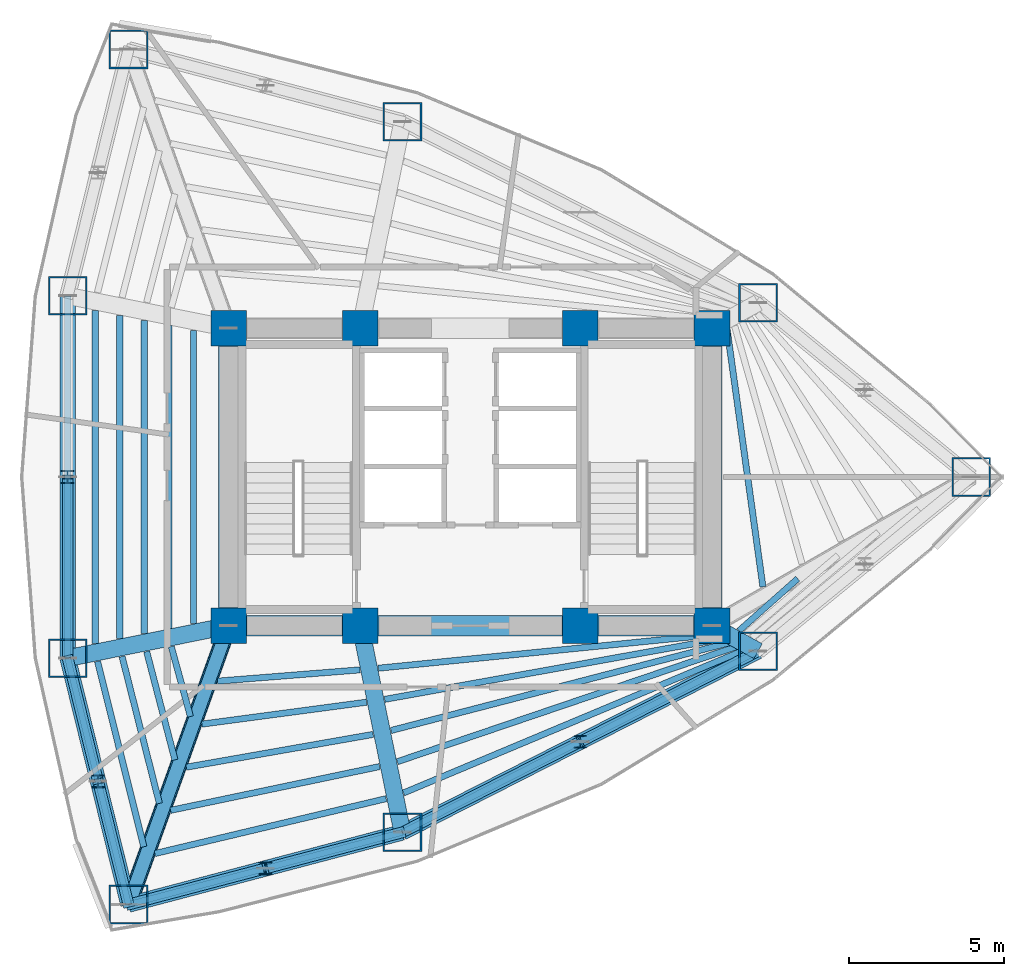
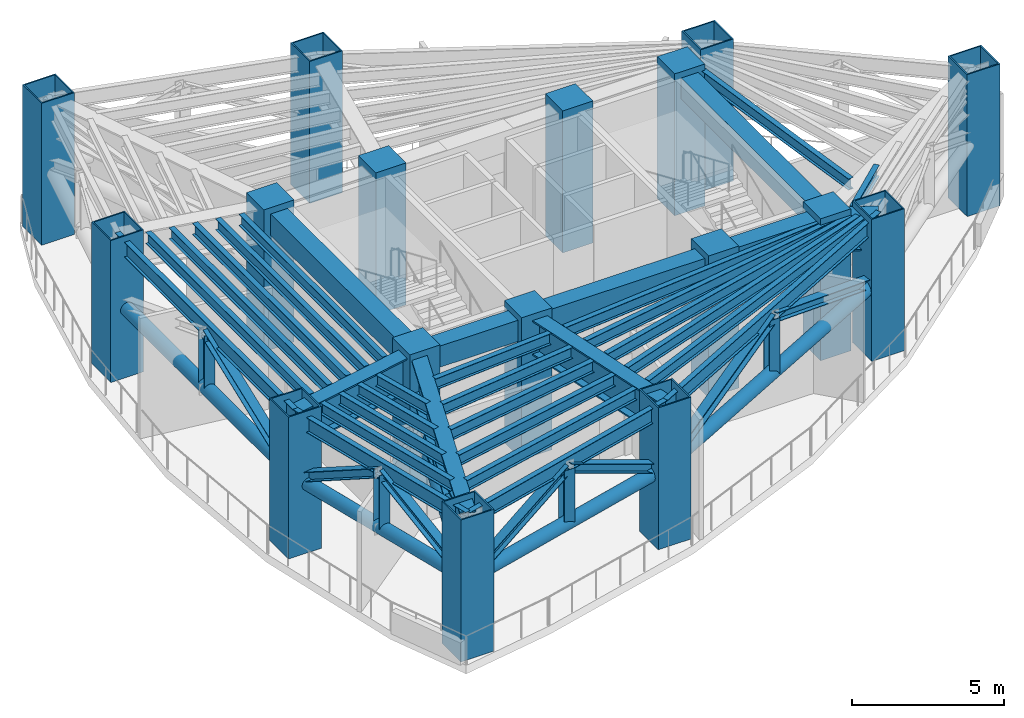
# One storey, part 1 of 7: 34 beams, 17 columns, 17 members.
"""IFC4 building model written with IfcOpenShell, lengths in metres."""

import ifcopenshell
import ifcopenshell.guid

model = None  # the IFC model being written
_history = None  # IfcOwnerHistory: only IFC2X3 demands one
_inside = {}  # id of a spatial element -> (the spatial element, [elements in it])
_under = {}  # id of a project, library or spatial element -> (it, [spatial elements below it])
_declared = {}  # id of a project -> (the project, [libraries it declares])
_typed = {}  # id of a type object -> (the type object, [elements of that type])
_made_of = {}  # id of a material, layer set ... -> (it, [elements and type objects made of it])


def new_model(schema):
    """Start an empty IFC model of exactly this schema.

    Asked for "IFC4X3", IfcOpenShell would pick the latest addendum, in which some entities
    have other attributes; the version numbers below select the first issue.
    IFC2X3 requires an IfcOwnerHistory on every rooted entity: one is made here for all.
    """
    global model, _history
    if schema == "IFC4X3":
        model = ifcopenshell.file(schema_version=(4, 3, 0, 0))
    else:
        model = ifcopenshell.file(schema=schema)
    _inside.clear()
    _under.clear()
    _declared.clear()
    _typed.clear()
    _made_of.clear()
    _history = None
    if model.schema == "IFC2X3":
        org = make("IfcOrganization", Name="unknown")
        user = make(
            "IfcPersonAndOrganization",
            ThePerson=make("IfcPerson", FamilyName="unknown"),
            TheOrganization=org,
        )
        app = make(
            "IfcApplication",
            ApplicationDeveloper=org,
            Version="unknown",
            ApplicationFullName="unknown",
            ApplicationIdentifier="unknown",
        )
        _history = make(
            "IfcOwnerHistory",
            OwningUser=user,
            OwningApplication=app,
            ChangeAction="ADDED",
            CreationDate=0,
        )
    return model


def make(cls, **values):
    """One entity of the class cls with the attributes given. An attribute that is None is left unset."""
    return model.create_entity(
        cls, **{name: value for name, value in values.items() if value is not None}
    )


def rooted(cls, **values):
    """An entity with a GlobalId (a new one), such as an element, a storey or a relation."""
    return make(cls, GlobalId=ifcopenshell.guid.new(), OwnerHistory=_history, **values)


def si_unit(unit_type, name, prefix=None):
    """IfcSIUnit, for example si_unit("LENGTHUNIT", "METRE", prefix="MILLI")."""
    return make("IfcSIUnit", UnitType=unit_type, Prefix=prefix, Name=name)


def assignment(units):
    """IfcUnitAssignment: the units of a project."""
    return None if units is None else make("IfcUnitAssignment", Units=units)


def point(xyz):
    """IfcCartesianPoint."""
    return None if xyz is None else make("IfcCartesianPoint", Coordinates=xyz)


def direction(xyz):
    """IfcDirection."""
    return None if xyz is None else make("IfcDirection", DirectionRatios=xyz)


def frame(location, z_axis=None, x_axis=None):
    """IfcAxis2Placement3D, a coordinate frame: its origin and axes. An axis left out is left unset."""
    return make(
        "IfcAxis2Placement3D",
        Location=point(location),
        Axis=direction(z_axis),
        RefDirection=direction(x_axis),
    )


def frame_2d(location, x_axis=None):
    """IfcAxis2Placement2D, a coordinate frame in the plane: its origin and x axis."""
    return make(
        "IfcAxis2Placement2D", Location=point(location), RefDirection=direction(x_axis)
    )


def origin():
    """The frame at (0, 0, 0) with its axes left unset."""
    return frame((0.0, 0.0, 0.0))


def origin_2d():
    """The frame at (0, 0) in the plane with its x axis left unset."""
    return frame_2d((0.0, 0.0))


def place(relative_to, where):
    """IfcLocalPlacement: puts the frame where relative to a parent placement (None: the world)."""
    return make(
        "IfcLocalPlacement", PlacementRelTo=relative_to, RelativePlacement=where
    )


def context(
    kind, dimensions, precision=None, world=None, true_north=None, identifier=None
):
    """IfcGeometricRepresentationContext, for example the 3D "Model" context."""
    return make(
        "IfcGeometricRepresentationContext",
        ContextIdentifier=identifier,
        ContextType=kind,
        CoordinateSpaceDimension=dimensions,
        Precision=precision,
        WorldCoordinateSystem=world,
        TrueNorth=true_north,
    )


def subcontext(parent, identifier, kind, view, scale=None):
    """IfcGeometricRepresentationSubContext, for example "Body" below "Model"."""
    return make(
        "IfcGeometricRepresentationSubContext",
        ContextIdentifier=identifier,
        ContextType=kind,
        ParentContext=parent,
        TargetScale=scale,
        TargetView=view,
    )


def project(units=None, contexts=None):
    """IfcProject with its units and contexts."""
    return rooted(
        "IfcProject",
        Name="project",
        RepresentationContexts=contexts,
        UnitsInContext=assignment(units),
    )


def spatial(cls, under=None, at=None, **own):
    """A site, building, storey or space (cls), placed at a placement, below another one or the project."""
    s = rooted(cls, ObjectPlacement=at, **own)
    if under is not None:
        _under.setdefault(under.id(), (under, []))[1].append(s)
    return s


def profile(cls, at=None, kind="AREA", **sizes):
    """A parametric profile (cls). Its sizes go by their IFC names, for example OverallWidth=200.0."""
    return make(cls, ProfileType=kind, Position=at, **sizes)


def rectangle(**sizes):
    """IfcRectangleProfileDef."""
    return profile("IfcRectangleProfileDef", **sizes)


def hollow_rectangle(**sizes):
    """IfcRectangleHollowProfileDef."""
    return profile("IfcRectangleHollowProfileDef", **sizes)


def hollow_circle(**sizes):
    """IfcCircleHollowProfileDef."""
    return profile("IfcCircleHollowProfileDef", **sizes)


def i_section(**sizes):
    """IfcIShapeProfileDef."""
    return profile("IfcIShapeProfileDef", **sizes)


def extrude(swept, where, along, depth):
    """IfcExtrudedAreaSolid: the profile swept, set in the frame where, extruded along a direction by depth."""
    return make(
        "IfcExtrudedAreaSolid",
        SweptArea=swept,
        Position=where,
        ExtrudedDirection=direction(along),
        Depth=depth,
    )


def shape(context_of_items, identifier, shape_type, items):
    """IfcShapeRepresentation: the items that make up one representation, for example the "Body"."""
    return make(
        "IfcShapeRepresentation",
        ContextOfItems=context_of_items,
        RepresentationIdentifier=identifier,
        RepresentationType=shape_type,
        Items=items,
    )


def material(Name=None, Category=None):
    """IfcMaterial."""
    return make("IfcMaterial", Name=Name, Category=Category)


def material_profile(
    of_material, cross_section, Name=None, Category=None, Priority=None
):
    """IfcMaterialProfile: a cross section and its material."""
    return make(
        "IfcMaterialProfile",
        Name=Name,
        Material=of_material,
        Profile=cross_section,
        Priority=Priority,
        Category=Category,
    )


def profile_set(profiles, Name=None, composite=None):
    """IfcMaterialProfileSet."""
    return make(
        "IfcMaterialProfileSet",
        Name=Name,
        MaterialProfiles=profiles,
        CompositeProfile=composite,
    )


def made_of(thing, what):
    """Note that an element or type object is made of a material, layer set ...; save() writes the relation."""
    if what is not None:
        _made_of.setdefault(what.id(), (what, []))[1].append(thing)
    return thing


def type_object(cls, material=None, **own):
    """A type object (cls), such as IfcWallType, which elements share."""
    return made_of(rooted(cls, **own), material)


def element(
    cls,
    number,
    at=None,
    inside=None,
    cuts=None,
    type_object=None,
    material=None,
    context=None,
    identifier="Body",
    shape_type=None,
    held_by="IfcProductDefinitionShape",
    body=None,
    shapes=None,
    **own,
):
    """One element of the class cls, such as IfcWall. Its Tag is "e" and its number.

    at: its placement. inside: the storey or other place that contains it. cuts: it is an
    opening in that element (IfcRelVoidsElement). A single representation is given by context,
    identifier, shape_type and body (its items); several are given by shapes. held_by: the class
    of the entity that holds the representations. save() writes the other relations.
    """
    e = rooted(cls, Tag="e%d" % number, ObjectPlacement=at, **own)
    if body is not None:
        shapes = [shape(context, identifier, shape_type, body)]
    if shapes is not None:
        e.Representation = make(held_by, Representations=shapes)
    if inside is not None:
        _inside.setdefault(inside.id(), (inside, []))[1].append(e)
    if cuts is not None:
        rooted(
            "IfcRelVoidsElement", RelatingBuildingElement=cuts, RelatedOpeningElement=e
        )
    if type_object is not None:
        _typed.setdefault(type_object.id(), (type_object, []))[1].append(e)
    return made_of(e, material)


def aggregate(whole, parts):
    """IfcRelAggregates: a whole, such as a stair, and the parts it consists of."""
    return rooted("IfcRelAggregates", RelatingObject=whole, RelatedObjects=parts)


def save(model, path):
    """Write the relations noted so far, then the file.

    IfcRelAggregates (storeys below a building ...), IfcRelContainedInSpatialStructure (elements
    in a storey), IfcRelDefinesByType, IfcRelAssociatesMaterial and IfcRelDeclares: one each for
    every whole, place, type object, material and project.
    """
    for whole, parts in _under.values():
        aggregate(whole, parts)
    for where, things in _inside.values():
        rooted(
            "IfcRelContainedInSpatialStructure",
            RelatedElements=things,
            RelatingStructure=where,
        )
    for kind, things in _typed.values():
        rooted("IfcRelDefinesByType", RelatedObjects=things, RelatingType=kind)
    for what, things in _made_of.values():
        rooted("IfcRelAssociatesMaterial", RelatedObjects=things, RelatingMaterial=what)
    for by, libraries in _declared.values():
        rooted("IfcRelDeclares", RelatingContext=by, RelatedDefinitions=libraries)
    model.write(path)


model = new_model("IFC4")

# Units and contexts
model_context = context("Model", 3, precision=1e-05, world=origin(), true_north=direction((0.0, 1.0)))
body_context = subcontext(model_context, "Body", "Model", "MODEL_VIEW")
ifc_project = project(units=[si_unit("LENGTHUNIT", "METRE"), si_unit("AREAUNIT", "SQUARE_METRE"), si_unit("VOLUMEUNIT", "CUBIC_METRE"), si_unit("PLANEANGLEUNIT", "RADIAN"), si_unit("MASSUNIT", "GRAM", prefix="KILO")], contexts=[model_context])

# Site, building, storey
site_placement = place(None, origin())
site = spatial("IfcSite", under=ifc_project, at=site_placement, CompositionType="ELEMENT")
building_placement = place(site_placement, origin())
building = spatial("IfcBuilding", under=site, at=building_placement, Name="Menara Vayukalpa", CompositionType="ELEMENT")
storey_placement = place(building_placement, frame((0.0, 0.0, 83.39990234375)))
storey = spatial("IfcBuildingStorey", under=building, at=storey_placement, Name="L20", CompositionType="ELEMENT", Elevation=83.39990234375)

# Columns
ifc_material_1 = material(Name="Concrete C80/95", Category="concrete")
ifc_material_profile_1 = material_profile(ifc_material_1, rectangle(XDim=1.14990234375, YDim=1.14990234375, at=origin_2d()), Name="RC 1150x1150")
ifc_profile_set_1 = profile_set([ifc_material_profile_1], Name="Concrete C80/95")
column_type_1 = type_object("IfcColumnType", Name="COL-CC1", PredefinedType="COLUMN", material=ifc_profile_set_1)
for number, where, z_axis, x_axis, name in (
    (1, (17.800048828125, 17.199951171875, 0.0), (0.0, 0.0, 1.0), (1.0, 0.0, 0.0), "L20 Core Pilaster Column CC1"),
    (2, (22.050048828125, 17.199951171875, 0.0), (0.0, 0.0, 1.0), (1.0, 0.0, 0.0), "L20 Core Pilaster Column CC2"),
    (3, (29.14990234375, 17.199951171875, 0.0), (0.0, 0.0, 1.0), (1.0, 0.0, 0.0), "L20 Core Pilaster Column CC3"),
    (4, (33.39990234375, 17.199951171875, 0.0), (0.0, 0.0, 1.0), (1.0, 0.0, 0.0), "L20 Core Pilaster Column CC4"),
    (5, (17.800048828125, 26.800048828125, 0.0), (0.0, 0.0, 1.0), (1.0, 0.0, 0.0), "L20 Core Pilaster Column CC5"),
    (6, (22.050048828125, 26.800048828125, 0.0), (0.0, 0.0, 1.0), (1.0, 0.0, 0.0), "L20 Core Pilaster Column CC6"),
    (7, (29.14990234375, 26.800048828125, 0.0), (0.0, 0.0, 1.0), (1.0, 0.0, 0.0), "L20 Core Pilaster Column CC7"),
    (8, (33.39990234375, 26.800048828125, 0.0), (0.0, 0.0, 1.0), (1.0, 0.0, 0.0), "L20 Core Pilaster Column CC8"),
):
    element("IfcColumn", number, at=place(storey_placement, frame(where, z_axis=z_axis, x_axis=x_axis)), inside=storey, type_object=column_type_1, Name=name, PredefinedType="COLUMN", context=body_context, shape_type="SweptSolid", body=[
        extrude(rectangle(XDim=1.14990234375, YDim=1.14990234375, at=origin_2d()), origin(), (0.0, 0.0, 1.0), 5.7001953125),
    ])
ifc_material_2 = material(Name="Steel S460", Category="steel")
ifc_material_profile_2 = material_profile(ifc_material_2, hollow_rectangle(XDim=1.25, YDim=1.25, WallThickness=0.050048828125, at=origin_2d()), Name="BOX 1250x1250x50")
ifc_profile_set_2 = profile_set([ifc_material_profile_2], Name="Steel S460")
column_type_2 = type_object("IfcColumnType", Name="COL-MC2", PredefinedType="COLUMN", material=ifc_profile_set_2)
for number, where, z_axis, x_axis, name in (
    (9, (41.761962890625, 22.0, 0.0), (0.0, 0.0, 1.0), (1.0, 0.0, 0.0), "L20 Perimeter Mega Column P01"),
    (10, (34.88671875, 27.62158203125, 0.0), (0.0, 0.0, 1.0), (1.0, 0.0, 0.0), "L20 Perimeter Mega Column P02"),
    (11, (23.408203125, 33.46728515625, 0.0), (0.0, 0.0, 1.0), (1.0, 0.0, 0.0), "L20 Perimeter Mega Column P03"),
    (12, (14.569091796875, 35.79736328125, 0.0), (0.0, 0.0, 1.0), (1.0, 0.0, 0.0), "L20 Perimeter Mega Column P04"),
    (13, (12.606689453125, 27.845703125, 0.0), (0.0, 0.0, 1.0), (1.0, 0.0, 0.0), "L20 Perimeter Mega Column P05"),
    (14, (12.606689453125, 16.154296875, 0.0), (0.0, 0.0, 1.0), (1.0, 0.0, 0.0), "L20 Perimeter Mega Column P06"),
    (15, (14.569091796875, 8.20263671875, 0.0), (0.0, 0.0, 1.0), (1.0, 0.0, 0.0), "L20 Perimeter Mega Column P07"),
    (16, (23.408203125, 10.53271484375, 0.0), (0.0, 0.0, 1.0), (1.0, 0.0, 0.0), "L20 Perimeter Mega Column P08"),
    (17, (34.88671875, 16.37841796875, 0.0), (0.0, 0.0, 1.0), (1.0, 0.0, 0.0), "L20 Perimeter Mega Column P09"),
):
    element("IfcColumn", number, at=place(storey_placement, frame(where, z_axis=z_axis, x_axis=x_axis)), inside=storey, type_object=column_type_2, Name=name, PredefinedType="COLUMN", context=body_context, shape_type="SweptSolid", body=[
        extrude(hollow_rectangle(XDim=1.25, YDim=1.25, WallThickness=0.050048828125, at=origin_2d()), origin(), (0.0, 0.0, 1.0), 5.7001953125),
    ])

# Beams
ifc_material_3 = material(Name="Concrete C60/75", Category="concrete")
ifc_material_profile_3 = material_profile(ifc_material_3, rectangle(XDim=0.64990234375, YDim=0.85009765625, at=origin_2d()), Name="RC 650x850")
ifc_profile_set_3 = profile_set([ifc_material_profile_3], Name="Concrete C60/75")
beam_type_1 = type_object("IfcBeamType", Name="BM-CB1", PredefinedType="BEAM", material=ifc_profile_set_3)
beam_1_placement = place(storey_placement, frame((17.800048828125, 17.199951171875, 5.025146484375), z_axis=(1.0, 0.0, 0.0), x_axis=(0.0, 1.0, 0.0)))
element("IfcBeam", 18, at=beam_1_placement, inside=storey, type_object=beam_type_1, Name="L20 Core Tie Beam CBR1", PredefinedType="BEAM", context=body_context, shape_type="SweptSolid", body=[
    extrude(rectangle(XDim=0.64990234375, YDim=0.85009765625, at=origin_2d()), origin(), (0.0, 0.0, 1.0), 4.25),
])
beam_2_placement = place(storey_placement, frame((22.050048828125, 17.199951171875, 5.025146484375), z_axis=(1.0, 0.0, 0.0), x_axis=(0.0, 1.0, 0.0)))
element("IfcBeam", 19, at=beam_2_placement, inside=storey, type_object=beam_type_1, Name="L20 Core Tie Beam CBR2", PredefinedType="BEAM", context=body_context, shape_type="SweptSolid", body=[
    extrude(rectangle(XDim=0.64990234375, YDim=0.85009765625, at=origin_2d()), origin(), (0.0, 0.0, 1.0), 7.099853515625),
])
beam_3_placement = place(storey_placement, frame((29.14990234375, 17.199951171875, 5.025146484375), z_axis=(1.0, 0.0, 0.0), x_axis=(0.0, 1.0, 0.0)))
element("IfcBeam", 20, at=beam_3_placement, inside=storey, type_object=beam_type_1, Name="L20 Core Tie Beam CBR3", PredefinedType="BEAM", context=body_context, shape_type="SweptSolid", body=[
    extrude(rectangle(XDim=0.64990234375, YDim=0.85009765625, at=origin_2d()), origin(), (0.0, 0.0, 1.0), 4.25),
])
for number, where, z_axis, x_axis, name in (
    (21, (17.800048828125, 17.199951171875, 5.025146484375), (0.0, 1.0, 0.0), (-1.0, 0.0, 0.0), "L20 Core Tie Beam CBR7"),
    (22, (33.39990234375, 17.199951171875, 5.025146484375), (0.0, 1.0, 0.0), (-1.0, 0.0, 0.0), "L20 Core Tie Beam CBR8"),
):
    element("IfcBeam", number, at=place(storey_placement, frame(where, z_axis=z_axis, x_axis=x_axis)), inside=storey, type_object=beam_type_1, Name=name, PredefinedType="BEAM", context=body_context, shape_type="SweptSolid", body=[
        extrude(rectangle(XDim=0.64990234375, YDim=0.85009765625, at=origin_2d()), origin(), (0.0, 0.0, 1.0), 9.60009765625),
    ])
ifc_material_4 = material(Name="Steel S355", Category="steel")
ifc_material_profile_4 = material_profile(ifc_material_4, i_section(OverallWidth=0.199951171875, OverallDepth=0.449951171875, WebThickness=0.009033203125, FlangeThickness=0.013916015625, at=origin_2d()), Name="WF 450x200x9x14")
ifc_profile_set_4 = profile_set([ifc_material_profile_4], Name="Steel S355")
beam_type_2 = type_object("IfcBeamType", Name="BM-SJ1", PredefinedType="JOIST", material=ifc_profile_set_4)
beam_4_placement = place(storey_placement, frame((35.042236328125, 18.458251953125, 5.22509765625), z_axis=(-0.137829684308, 0.990455944565, 0.0), x_axis=(-0.990455944565, -0.137829684308, 0.0)))
element("IfcBeam", 23, at=beam_4_placement, inside=storey, type_object=beam_type_2, Name="L20 Secondary Floor Joist SJ01-1", PredefinedType="JOIST", context=body_context, shape_type="SweptSolid", body=[
    extrude(i_section(OverallWidth=0.199951171875, OverallDepth=0.449951171875, WebThickness=0.009033203125, FlangeThickness=0.013916015625, at=origin_2d()), origin(), (0.0, 0.0, 1.0), 8.37646484375),
])
beam_5_placement = place(storey_placement, frame((16.664306640625, 26.733642578125, 5.22509765625), z_axis=(0.0, -1.0, 0.0), x_axis=(1.0, 0.0, 0.0)))
element("IfcBeam", 24, at=beam_5_placement, inside=storey, type_object=beam_type_2, Name="L20 Secondary Floor Joist SJ05-1", PredefinedType="JOIST", context=body_context, shape_type="SweptSolid", body=[
    extrude(i_section(OverallWidth=0.199951171875, OverallDepth=0.449951171875, WebThickness=0.009033203125, FlangeThickness=0.013916015625, at=origin_2d()), origin(), (0.0, 0.0, 1.0), 9.46728515625),
])
beam_6_placement = place(storey_placement, frame((15.87255859375, 26.89306640625, 5.22509765625), z_axis=(0.0, -1.0, 0.0), x_axis=(1.0, 0.0, 0.0)))
element("IfcBeam", 25, at=beam_6_placement, inside=storey, type_object=beam_type_2, Name="L20 Secondary Floor Joist SJ05-2", PredefinedType="JOIST", context=body_context, shape_type="SweptSolid", body=[
    extrude(i_section(OverallWidth=0.199951171875, OverallDepth=0.449951171875, WebThickness=0.009033203125, FlangeThickness=0.013916015625, at=origin_2d()), origin(), (0.0, 0.0, 1.0), 9.7861328125),
])
beam_7_placement = place(storey_placement, frame((15.080810546875, 27.052490234375, 5.22509765625), z_axis=(0.0, -1.0, 0.0), x_axis=(1.0, 0.0, 0.0)))
element("IfcBeam", 26, at=beam_7_placement, inside=storey, type_object=beam_type_2, Name="L20 Secondary Floor Joist SJ05-3", PredefinedType="JOIST", context=body_context, shape_type="SweptSolid", body=[
    extrude(i_section(OverallWidth=0.199951171875, OverallDepth=0.449951171875, WebThickness=0.009033203125, FlangeThickness=0.013916015625, at=origin_2d()), origin(), (0.0, 0.0, 1.0), 10.10498046875),
])
beam_8_placement = place(storey_placement, frame((14.2890625, 27.2119140625, 5.22509765625), z_axis=(0.0, -1.0, 0.0), x_axis=(1.0, 0.0, 0.0)))
element("IfcBeam", 27, at=beam_8_placement, inside=storey, type_object=beam_type_2, Name="L20 Secondary Floor Joist SJ05-4", PredefinedType="JOIST", context=body_context, shape_type="SweptSolid", body=[
    extrude(i_section(OverallWidth=0.199951171875, OverallDepth=0.449951171875, WebThickness=0.009033203125, FlangeThickness=0.013916015625, at=origin_2d()), origin(), (0.0, 0.0, 1.0), 10.423828125),
])
beam_9_placement = place(storey_placement, frame((13.497314453125, 27.371337890625, 5.22509765625), z_axis=(0.0, -1.0, 0.0), x_axis=(1.0, 0.0, 0.0)))
element("IfcBeam", 28, at=beam_9_placement, inside=storey, type_object=beam_type_2, Name="L20 Secondary Floor Joist SJ05-5", PredefinedType="JOIST", context=body_context, shape_type="SweptSolid", body=[
    extrude(i_section(OverallWidth=0.199951171875, OverallDepth=0.449951171875, WebThickness=0.009033203125, FlangeThickness=0.013916015625, at=origin_2d()), origin(), (0.0, 0.0, 1.0), 10.74267578125),
])
beam_10_placement = place(storey_placement, frame((15.9501953125, 16.52734375, 5.22509765625), z_axis=(0.263929403048, -0.96454200023, 0.0), x_axis=(0.96454200023, 0.263929403048, 0.0)))
element("IfcBeam", 29, at=beam_10_placement, inside=storey, type_object=beam_type_2, Name="L20 Secondary Floor Joist SJ06-2", PredefinedType="JOIST", context=body_context, shape_type="SweptSolid", body=[
    extrude(i_section(OverallWidth=0.199951171875, OverallDepth=0.449951171875, WebThickness=0.009033203125, FlangeThickness=0.013916015625, at=origin_2d()), origin(), (0.0, 0.0, 1.0), 2.34033203125),
])
beam_11_placement = place(storey_placement, frame((15.1552734375, 16.3671875, 5.22509765625), z_axis=(0.252438391899, -0.967612969268, 0.0), x_axis=(0.967612969268, 0.252438391899, 0.0)))
element("IfcBeam", 30, at=beam_11_placement, inside=storey, type_object=beam_type_2, Name="L20 Secondary Floor Joist SJ06-3", PredefinedType="JOIST", context=body_context, shape_type="SweptSolid", body=[
    extrude(i_section(OverallWidth=0.199951171875, OverallDepth=0.449951171875, WebThickness=0.009033203125, FlangeThickness=0.013916015625, at=origin_2d()), origin(), (0.0, 0.0, 1.0), 3.615234375),
])
beam_12_placement = place(storey_placement, frame((14.36181640625, 16.207275390625, 5.22509765625), z_axis=(0.246269228138, -0.969201458559, 0.0), x_axis=(0.969201458559, 0.246269228138, 0.0)))
element("IfcBeam", 31, at=beam_12_placement, inside=storey, type_object=beam_type_2, Name="L20 Secondary Floor Joist SJ06-4", PredefinedType="JOIST", context=body_context, shape_type="SweptSolid", body=[
    extrude(i_section(OverallWidth=0.199951171875, OverallDepth=0.449951171875, WebThickness=0.009033203125, FlangeThickness=0.013916015625, at=origin_2d()), origin(), (0.0, 0.0, 1.0), 4.890380859375),
])
beam_13_placement = place(storey_placement, frame((13.56884765625, 16.047607421875, 5.22509765625), z_axis=(0.242489040625, -0.97015414506, 0.0), x_axis=(0.97015414506, 0.242489040625, 0.0)))
element("IfcBeam", 32, at=beam_13_placement, inside=storey, type_object=beam_type_2, Name="L20 Secondary Floor Joist SJ06-5", PredefinedType="JOIST", context=body_context, shape_type="SweptSolid", body=[
    extrude(i_section(OverallWidth=0.199951171875, OverallDepth=0.449951171875, WebThickness=0.009033203125, FlangeThickness=0.013916015625, at=origin_2d()), origin(), (0.0, 0.0, 1.0), 6.165771484375),
])
beam_14_placement = place(storey_placement, frame((17.443115234375, 15.410888671875, 5.22509765625), z_axis=(0.996868572294, 0.079076226346, 0.0), x_axis=(-0.079076226346, 0.996868572294, 0.0)))
element("IfcBeam", 33, at=beam_14_placement, inside=storey, type_object=beam_type_2, Name="L20 Secondary Floor Joist SJ07-1", PredefinedType="JOIST", context=body_context, shape_type="SweptSolid", body=[
    extrude(i_section(OverallWidth=0.199951171875, OverallDepth=0.449951171875, WebThickness=0.009033203125, FlangeThickness=0.013916015625, at=origin_2d()), origin(), (0.0, 0.0, 1.0), 4.612548828125),
])
beam_15_placement = place(storey_placement, frame((16.93798828125, 14.0244140625, 5.22509765625), z_axis=(0.99124141791, 0.132062301279, 0.0), x_axis=(-0.132062301279, 0.99124141791, 0.0)))
element("IfcBeam", 34, at=beam_15_placement, inside=storey, type_object=beam_type_2, Name="L20 Secondary Floor Joist SJ07-2", PredefinedType="JOIST", context=body_context, shape_type="SweptSolid", body=[
    extrude(i_section(OverallWidth=0.199951171875, OverallDepth=0.449951171875, WebThickness=0.009033203125, FlangeThickness=0.013916015625, at=origin_2d()), origin(), (0.0, 0.0, 1.0), 5.361083984375),
])
beam_16_placement = place(storey_placement, frame((16.432861328125, 12.634521484375, 5.22509765625), z_axis=(0.984946902455, 0.172857164574, 0.0), x_axis=(-0.172857164574, 0.984946902455, 0.0)))
element("IfcBeam", 35, at=beam_16_placement, inside=storey, type_object=beam_type_2, Name="L20 Secondary Floor Joist SJ07-3", PredefinedType="JOIST", context=body_context, shape_type="SweptSolid", body=[
    extrude(i_section(OverallWidth=0.199951171875, OverallDepth=0.449951171875, WebThickness=0.009033203125, FlangeThickness=0.013916015625, at=origin_2d()), origin(), (0.0, 0.0, 1.0), 6.122802734375),
])
beam_17_placement = place(storey_placement, frame((15.927490234375, 11.2421875, 5.22509765625), z_axis=(0.978749978806, 0.205057257826, 0.0), x_axis=(-0.205057257826, 0.978749978806, 0.0)))
element("IfcBeam", 36, at=beam_17_placement, inside=storey, type_object=beam_type_2, Name="L20 Secondary Floor Joist SJ07-4", PredefinedType="JOIST", context=body_context, shape_type="SweptSolid", body=[
    extrude(i_section(OverallWidth=0.199951171875, OverallDepth=0.449951171875, WebThickness=0.009033203125, FlangeThickness=0.013916015625, at=origin_2d()), origin(), (0.0, 0.0, 1.0), 6.8935546875),
])
beam_18_placement = place(storey_placement, frame((15.422607421875, 9.847900390625, 5.22509765625), z_axis=(0.97293037885, 0.23109841607, 0.0), x_axis=(-0.23109841607, 0.97293037885, 0.0)))
element("IfcBeam", 37, at=beam_18_placement, inside=storey, type_object=beam_type_2, Name="L20 Secondary Floor Joist SJ07-5", PredefinedType="JOIST", context=body_context, shape_type="SweptSolid", body=[
    extrude(i_section(OverallWidth=0.199951171875, OverallDepth=0.449951171875, WebThickness=0.009033203125, FlangeThickness=0.013916015625, at=origin_2d()), origin(), (0.0, 0.0, 1.0), 7.6708984375),
])
beam_19_placement = place(storey_placement, frame((22.62890625, 15.828369140625, 5.22509765625), z_axis=(0.995012280758, 0.099752499419, 0.0), x_axis=(-0.099752499419, 0.995012280758, 0.0)))
element("IfcBeam", 38, at=beam_19_placement, inside=storey, type_object=beam_type_2, Name="L20 Secondary Floor Joist SJ08-1", PredefinedType="JOIST", context=body_context, shape_type="SweptSolid", body=[
    extrude(i_section(OverallWidth=0.199951171875, OverallDepth=0.449951171875, WebThickness=0.009033203125, FlangeThickness=0.013916015625, at=origin_2d()), origin(), (0.0, 0.0, 1.0), 10.979248046875),
])
beam_20_placement = place(storey_placement, frame((22.835205078125, 14.823486328125, 5.22509765625), z_axis=(0.984203565872, 0.177040506452, 0.0), x_axis=(-0.177040506452, 0.984203565872, 0.0)))
element("IfcBeam", 39, at=beam_20_placement, inside=storey, type_object=beam_type_2, Name="L20 Secondary Floor Joist SJ08-2", PredefinedType="JOIST", context=body_context, shape_type="SweptSolid", body=[
    extrude(i_section(OverallWidth=0.199951171875, OverallDepth=0.449951171875, WebThickness=0.009033203125, FlangeThickness=0.013916015625, at=origin_2d()), origin(), (0.0, 0.0, 1.0), 11.099609375),
])
beam_21_placement = place(storey_placement, frame((23.03955078125, 13.81787109375, 5.22509765625), z_axis=(0.967920388611, 0.251257082111, 0.0), x_axis=(-0.251257082111, 0.967920388611, 0.0)))
element("IfcBeam", 40, at=beam_21_placement, inside=storey, type_object=beam_type_2, Name="L20 Secondary Floor Joist SJ08-3", PredefinedType="JOIST", context=body_context, shape_type="SweptSolid", body=[
    extrude(i_section(OverallWidth=0.199951171875, OverallDepth=0.449951171875, WebThickness=0.009033203125, FlangeThickness=0.013916015625, at=origin_2d()), origin(), (0.0, 0.0, 1.0), 11.289794921875),
])
beam_22_placement = place(storey_placement, frame((23.24267578125, 12.81103515625, 5.22509765625), z_axis=(0.946950205184, 0.321380318163, 0.0), x_axis=(-0.321380318163, 0.946950205184, 0.0)))
element("IfcBeam", 41, at=beam_22_placement, inside=storey, type_object=beam_type_2, Name="L20 Secondary Floor Joist SJ08-4", PredefinedType="JOIST", context=body_context, shape_type="SweptSolid", body=[
    extrude(i_section(OverallWidth=0.199951171875, OverallDepth=0.449951171875, WebThickness=0.009033203125, FlangeThickness=0.013916015625, at=origin_2d()), origin(), (0.0, 0.0, 1.0), 11.546142578125),
])
beam_23_placement = place(storey_placement, frame((23.44482421875, 11.802734375, 5.22509765625), z_axis=(0.922218053234, 0.386670224208, 0.0), x_axis=(-0.386670224208, 0.922218053234, 0.0)))
element("IfcBeam", 42, at=beam_23_placement, inside=storey, type_object=beam_type_2, Name="L20 Secondary Floor Joist SJ08-5", PredefinedType="JOIST", context=body_context, shape_type="SweptSolid", body=[
    extrude(i_section(OverallWidth=0.199951171875, OverallDepth=0.449951171875, WebThickness=0.009033203125, FlangeThickness=0.013916015625, at=origin_2d()), origin(), (0.0, 0.0, 1.0), 11.864501953125),
])
beam_24_placement = place(storey_placement, frame((34.2705078125, 17.03662109375, 5.22509765625), z_axis=(0.747914140309, 0.663795479591, 0.0), x_axis=(-0.663795479591, 0.747914140309, 0.0)))
element("IfcBeam", 43, at=beam_24_placement, inside=storey, type_object=beam_type_2, Name="L20 Secondary Floor Joist SJ09-2", PredefinedType="JOIST", context=body_context, shape_type="SweptSolid", body=[
    extrude(i_section(OverallWidth=0.199951171875, OverallDepth=0.449951171875, WebThickness=0.009033203125, FlangeThickness=0.013916015625, at=origin_2d()), origin(), (0.0, 0.0, 1.0), 2.53369140625),
])
ifc_material_5 = material(Name="Steel S355", Category="steel")
ifc_material_profile_5 = material_profile(ifc_material_5, i_section(OverallWidth=0.199951171875, OverallDepth=0.60009765625, WebThickness=0.010986328125, FlangeThickness=0.01708984375, at=origin_2d()), Name="WF 600x200x11x17")
ifc_profile_set_5 = profile_set([ifc_material_profile_5], Name="Steel S355")
beam_type_3 = type_object("IfcBeamType", Name="BM-SP1", PredefinedType="SPANDREL", material=ifc_profile_set_5)
beam_25_placement = place(storey_placement, frame((12.606689453125, 27.845703125, 5.150146484375), z_axis=(0.0, -1.0, 0.0), x_axis=(1.0, 0.0, 0.0)))
element("IfcBeam", 44, at=beam_25_placement, inside=storey, type_object=beam_type_3, Name="L20 Perimeter Spandrel Beam SP05", PredefinedType="SPANDREL", context=body_context, shape_type="SweptSolid", body=[
    extrude(i_section(OverallWidth=0.199951171875, OverallDepth=0.60009765625, WebThickness=0.010986328125, FlangeThickness=0.01708984375, at=origin_2d()), origin(), (0.0, 0.0, 1.0), 11.69140625),
])
beam_26_placement = place(storey_placement, frame((12.606689453125, 16.154296875, 5.150146484375), z_axis=(0.239602739234, -0.970871014786, 0.0), x_axis=(0.970871014786, 0.239602739234, 0.0)))
element("IfcBeam", 45, at=beam_26_placement, inside=storey, type_object=beam_type_3, Name="L20 Perimeter Spandrel Beam SP06", PredefinedType="SPANDREL", context=body_context, shape_type="SweptSolid", body=[
    extrude(i_section(OverallWidth=0.199951171875, OverallDepth=0.60009765625, WebThickness=0.010986328125, FlangeThickness=0.01708984375, at=origin_2d()), origin(), (0.0, 0.0, 1.0), 8.190185546875),
])
beam_27_placement = place(storey_placement, frame((14.569091796875, 8.20263671875, 5.150146484375), z_axis=(0.966966857313, 0.254902131921, 0.0), x_axis=(-0.254902131921, 0.966966857313, 0.0)))
element("IfcBeam", 46, at=beam_27_placement, inside=storey, type_object=beam_type_3, Name="L20 Perimeter Spandrel Beam SP07", PredefinedType="SPANDREL", context=body_context, shape_type="SweptSolid", body=[
    extrude(i_section(OverallWidth=0.199951171875, OverallDepth=0.60009765625, WebThickness=0.010986328125, FlangeThickness=0.01708984375, at=origin_2d()), origin(), (0.0, 0.0, 1.0), 9.14111328125),
])
beam_28_placement = place(storey_placement, frame((23.408203125, 10.53271484375, 5.150146484375), z_axis=(0.891097345221, 0.453812209333, 0.0), x_axis=(-0.453812209333, 0.891097345221, 0.0)))
element("IfcBeam", 47, at=beam_28_placement, inside=storey, type_object=beam_type_3, Name="L20 Perimeter Spandrel Beam SP08", PredefinedType="SPANDREL", context=body_context, shape_type="SweptSolid", body=[
    extrude(i_section(OverallWidth=0.199951171875, OverallDepth=0.60009765625, WebThickness=0.010986328125, FlangeThickness=0.01708984375, at=origin_2d()), origin(), (0.0, 0.0, 1.0), 12.88134765625),
])
ifc_material_6 = material(Name="Steel S460", Category="steel")
ifc_material_profile_6 = material_profile(ifc_material_6, i_section(OverallWidth=0.550048828125, OverallDepth=1.39990234375, WebThickness=0.031982421875, FlangeThickness=0.06005859375, at=origin_2d()), Name="WG 1400x550x32x60")
ifc_profile_set_6 = profile_set([ifc_material_profile_6], Name="Steel S460")
beam_type_4 = type_object("IfcBeamType", Name="BM-TG1", PredefinedType="BEAM", material=ifc_profile_set_6)
beam_29_placement = place(storey_placement, frame((17.554931640625, 17.150634765625, 4.75), z_axis=(-0.980324984906, -0.197390283373, 0.0), x_axis=(0.197390283373, -0.980324984906, 0.0)))
element("IfcBeam", 48, at=beam_29_placement, inside=storey, type_object=beam_type_4, Name="L20 Primary Radial Girder RG06", PredefinedType="BEAM", context=body_context, shape_type="SweptSolid", body=[
    extrude(i_section(OverallWidth=0.550048828125, OverallDepth=1.39990234375, WebThickness=0.031982421875, FlangeThickness=0.06005859375, at=origin_2d()), origin(), (0.0, 0.0, 1.0), 5.047607421875),
])
beam_30_placement = place(storey_placement, frame((17.715576171875, 16.964599609375, 4.75), z_axis=(-0.337975542909, -0.941154892882, 0.0), x_axis=(0.941154892882, -0.337975542909, 0.0)))
element("IfcBeam", 49, at=beam_30_placement, inside=storey, type_object=beam_type_4, Name="L20 Primary Radial Girder RG07", PredefinedType="BEAM", context=body_context, shape_type="SweptSolid", body=[
    extrude(i_section(OverallWidth=0.550048828125, OverallDepth=1.39990234375, WebThickness=0.031982421875, FlangeThickness=0.06005859375, at=origin_2d()), origin(), (0.0, 0.0, 1.0), 9.309814453125),
])
beam_31_placement = place(storey_placement, frame((22.099853515625, 16.955078125, 4.75), z_axis=(0.199617728418, -0.9798738503, 0.0), x_axis=(0.9798738503, 0.199617728418, 0.0)))
element("IfcBeam", 50, at=beam_31_placement, inside=storey, type_object=beam_type_4, Name="L20 Primary Radial Girder RG08", PredefinedType="BEAM", context=body_context, shape_type="SweptSolid", body=[
    extrude(i_section(OverallWidth=0.550048828125, OverallDepth=1.39990234375, WebThickness=0.031982421875, FlangeThickness=0.06005859375, at=origin_2d()), origin(), (0.0, 0.0, 1.0), 6.55419921875),
])
beam_32_placement = place(storey_placement, frame((33.618896484375, 17.0791015625, 4.75), z_axis=(0.875228391676, -0.48370989488, 0.0), x_axis=(0.48370989488, 0.875228391676, 0.0)))
element("IfcBeam", 51, at=beam_32_placement, inside=storey, type_object=beam_type_4, Name="L20 Primary Radial Girder RG09", PredefinedType="BEAM", context=body_context, shape_type="SweptSolid", body=[
    extrude(i_section(OverallWidth=0.550048828125, OverallDepth=1.39990234375, WebThickness=0.031982421875, FlangeThickness=0.06005859375, at=origin_2d()), origin(), (0.0, 0.0, 1.0), 1.448486328125),
])

# Members
ifc_material_7 = material(Name="Steel S355", Category="steel")
ifc_material_profile_7 = material_profile(ifc_material_7, i_section(OverallWidth=0.35009765625, OverallDepth=0.35009765625, WebThickness=0.011962890625, FlangeThickness=0.01904296875, at=origin_2d()), Name="H 350x350x12x19")
ifc_profile_set_7 = profile_set([ifc_material_profile_7], Name="Steel S355")
member_type_1 = type_object("IfcMemberType", Name="MEM-BT1", PredefinedType="BRACE", material=ifc_profile_set_7)
member_1_placement = place(storey_placement, frame((12.606689453125, 16.154296875, 2.75), z_axis=(0.0, 0.933257177228, 0.359208910179), x_axis=(-1.0, 0.0, 0.0)))
element("IfcMember", 52, at=member_1_placement, inside=storey, type_object=member_type_1, Name="L20 Belt Truss Diagonal B05", PredefinedType="BRACE", context=body_context, shape_type="SweptSolid", body=[
    extrude(i_section(OverallWidth=0.35009765625, OverallDepth=0.35009765625, WebThickness=0.011962890625, FlangeThickness=0.01904296875, at=origin_2d()), origin(), (0.0, 0.0, 1.0), 6.263671875),
])
for number, where, z_axis, x_axis, name in (
    (53, (12.606689453125, 16.154296875, 2.75), (0.209993821635, -0.85089559227, 0.481538457375), (0.970871014786, 0.239602739234, 0.0), "L20 Belt Truss Diagonal A06"),
    (54, (14.569091796875, 8.20263671875, 2.75), (-0.209993821635, 0.85089559227, 0.481538457375), (-0.970871014786, -0.239602739234, 0.0), "L20 Belt Truss Diagonal B06"),
):
    element("IfcMember", number, at=place(storey_placement, frame(where, z_axis=z_axis, x_axis=x_axis)), inside=storey, type_object=member_type_1, Name=name, PredefinedType="BRACE", context=body_context, shape_type="SweptSolid", body=[
        extrude(i_section(OverallWidth=0.35009765625, OverallDepth=0.35009765625, WebThickness=0.011962890625, FlangeThickness=0.01904296875, at=origin_2d()), origin(), (0.0, 0.0, 1.0), 4.672607421875),
    ])
member_2_placement = place(storey_placement, frame((14.569091796875, 8.20263671875, 2.75), z_axis=(0.86753661262, 0.228697641997, 0.441675915474), x_axis=(-0.254908715149, 0.966965121884, 0.0)))
element("IfcMember", 55, at=member_2_placement, inside=storey, type_object=member_type_1, Name="L20 Belt Truss Diagonal A07", PredefinedType="BRACE", context=body_context, shape_type="SweptSolid", body=[
    extrude(i_section(OverallWidth=0.35009765625, OverallDepth=0.35009765625, WebThickness=0.011962890625, FlangeThickness=0.01904296875, at=origin_2d()), origin(), (0.0, 0.0, 1.0), 5.09423828125),
])
member_3_placement = place(storey_placement, frame((23.408203125, 10.53271484375, 2.75), z_axis=(-0.867548467554, -0.228688133854, 0.441657552725), x_axis=(0.254895549021, -0.966968592608, 0.0)))
element("IfcMember", 56, at=member_3_placement, inside=storey, type_object=member_type_1, Name="L20 Belt Truss Diagonal B07", PredefinedType="BRACE", context=body_context, shape_type="SweptSolid", body=[
    extrude(i_section(OverallWidth=0.35009765625, OverallDepth=0.35009765625, WebThickness=0.011962890625, FlangeThickness=0.01904296875, at=origin_2d()), origin(), (0.0, 0.0, 1.0), 5.094482421875),
])
member_4_placement = place(storey_placement, frame((23.408203125, 10.53271484375, 2.75), z_axis=(0.841254784845, 0.428392931316, 0.329802794671), x_axis=(-0.453782109022, 0.89111267387, 0.0)))
element("IfcMember", 57, at=member_4_placement, inside=storey, type_object=member_type_1, Name="L20 Belt Truss Diagonal A08", PredefinedType="BRACE", context=body_context, shape_type="SweptSolid", body=[
    extrude(i_section(OverallWidth=0.35009765625, OverallDepth=0.35009765625, WebThickness=0.011962890625, FlangeThickness=0.01904296875, at=origin_2d()), origin(), (0.0, 0.0, 1.0), 6.822265625),
])
member_5_placement = place(storey_placement, frame((34.88671875, 16.37841796875, 2.75), z_axis=(-0.841228990292, -0.428451365525, 0.329792682259), x_axis=(0.45384230809, -0.891082016084, 0.0)))
element("IfcMember", 58, at=member_5_placement, inside=storey, type_object=member_type_1, Name="L20 Belt Truss Diagonal B08", PredefinedType="BRACE", context=body_context, shape_type="SweptSolid", body=[
    extrude(i_section(OverallWidth=0.35009765625, OverallDepth=0.35009765625, WebThickness=0.011962890625, FlangeThickness=0.01904296875, at=origin_2d()), origin(), (0.0, 0.0, 1.0), 6.822509765625),
])
ifc_material_8 = material(Name="Steel S460", Category="steel")
ifc_material_profile_8 = material_profile(ifc_material_8, hollow_circle(Radius=0.25390625, WallThickness=0.02490234375, at=origin_2d()), Name="CHS 508.0x25")
ifc_profile_set_8 = profile_set([ifc_material_profile_8], Name="Steel S460")
member_type_2 = type_object("IfcMemberType", Name="MEM-CH1", PredefinedType="CHORD", material=ifc_profile_set_8)
member_6_placement = place(storey_placement, frame((17.800048828125, 17.199951171875, 2.75), z_axis=(-0.337971485011, -0.941156350092, 0.0), x_axis=(0.941156350092, -0.337971485011, 0.0)))
element("IfcMember", 59, at=member_6_placement, inside=storey, type_object=member_type_2, Name="L20 Outrigger Bottom Chord 07", PredefinedType="CHORD", context=body_context, shape_type="SweptSolid", body=[
    extrude(hollow_circle(Radius=0.25390625, WallThickness=0.02490234375, at=origin_2d()), origin(), (0.0, 0.0, 1.0), 9.559814453125),
])
member_7_placement = place(storey_placement, frame((12.606689453125, 27.845703125, 2.75), z_axis=(0.0, -1.0, 0.0), x_axis=(1.0, 0.0, 0.0)))
element("IfcMember", 60, at=member_7_placement, inside=storey, type_object=member_type_2, Name="L20 Belt Truss Bottom Chord 05", PredefinedType="CHORD", context=body_context, shape_type="SweptSolid", body=[
    extrude(hollow_circle(Radius=0.25390625, WallThickness=0.02490234375, at=origin_2d()), origin(), (0.0, 0.0, 1.0), 11.69140625),
])
member_8_placement = place(storey_placement, frame((12.606689453125, 16.154296875, 2.75), z_axis=(0.239602739234, -0.970871014786, 0.0), x_axis=(0.970871014786, 0.239602739234, 0.0)))
element("IfcMember", 61, at=member_8_placement, inside=storey, type_object=member_type_2, Name="L20 Belt Truss Bottom Chord 06", PredefinedType="CHORD", context=body_context, shape_type="SweptSolid", body=[
    extrude(hollow_circle(Radius=0.25390625, WallThickness=0.02490234375, at=origin_2d()), origin(), (0.0, 0.0, 1.0), 8.190185546875),
])
member_9_placement = place(storey_placement, frame((14.569091796875, 8.20263671875, 2.75), z_axis=(0.966966857313, 0.254902131921, 0.0), x_axis=(-0.254902131921, 0.966966857313, 0.0)))
element("IfcMember", 62, at=member_9_placement, inside=storey, type_object=member_type_2, Name="L20 Belt Truss Bottom Chord 07", PredefinedType="CHORD", context=body_context, shape_type="SweptSolid", body=[
    extrude(hollow_circle(Radius=0.25390625, WallThickness=0.02490234375, at=origin_2d()), origin(), (0.0, 0.0, 1.0), 9.14111328125),
])
member_10_placement = place(storey_placement, frame((23.408203125, 10.53271484375, 2.75), z_axis=(0.891097345221, 0.453812209333, 0.0), x_axis=(-0.453812209333, 0.891097345221, 0.0)))
element("IfcMember", 63, at=member_10_placement, inside=storey, type_object=member_type_2, Name="L20 Belt Truss Bottom Chord 08", PredefinedType="CHORD", context=body_context, shape_type="SweptSolid", body=[
    extrude(hollow_circle(Radius=0.25390625, WallThickness=0.02490234375, at=origin_2d()), origin(), (0.0, 0.0, 1.0), 12.88134765625),
])
ifc_material_9 = material(Name="Steel S460", Category="steel")
ifc_material_profile_9 = material_profile(ifc_material_9, i_section(OverallWidth=0.431884765625, OverallDepth=0.498046875, WebThickness=0.044921875, FlangeThickness=0.070068359375, at=origin_2d()), Name="H 498x432x45x70")
ifc_profile_set_9 = profile_set([ifc_material_profile_9], Name="Steel S460")
member_type_3 = type_object("IfcMemberType", Name="MEM-OT1", PredefinedType="BRACE", material=ifc_profile_set_9)
member_11_placement = place(storey_placement, frame((17.800048828125, 17.199951171875, 2.75), z_axis=(-0.328982463092, -0.916124430433, 0.229099469538), x_axis=(0.941156350092, -0.337971485011, 0.0)))
element("IfcMember", 64, at=member_11_placement, inside=storey, type_object=member_type_3, Name="L20 Outrigger Truss Diagonal 07", PredefinedType="BRACE", context=body_context, shape_type="SweptSolid", body=[
    extrude(i_section(OverallWidth=0.431884765625, OverallDepth=0.498046875, WebThickness=0.044921875, FlangeThickness=0.070068359375, at=origin_2d()), origin(), (0.0, 0.0, 1.0), 9.821044921875),
])
ifc_material_10 = material(Name="Steel S355", Category="steel")
ifc_material_profile_10 = material_profile(ifc_material_10, i_section(OverallWidth=0.39990234375, OverallDepth=0.39990234375, WebThickness=0.012939453125, FlangeThickness=0.02099609375, at=origin_2d()), Name="H 400x400x13x21")
ifc_profile_set_10 = profile_set([ifc_material_profile_10], Name="Steel S355")
member_type_4 = type_object("IfcMemberType", Name="MEM-ST1", PredefinedType="STRUT", material=ifc_profile_set_10)
for number, where, z_axis, x_axis, name in (
    (65, (12.606689453125, 22.0, 2.75), (0.0, 0.0, 1.0), (1.0, 0.0, 0.0), "L20 Belt Truss Vertical Strut 05"),
    (66, (13.587890625, 12.178466796875, 2.75), (0.0, 0.0, 1.0), (1.0, 0.0, 0.0), "L20 Belt Truss Vertical Strut 06"),
    (67, (18.988525390625, 9.36767578125, 2.75), (0.0, 0.0, 1.0), (1.0, 0.0, 0.0), "L20 Belt Truss Vertical Strut 07"),
    (68, (29.1474609375, 13.455322265625, 2.75), (0.0, 0.0, 1.0), (1.0, 0.0, 0.0), "L20 Belt Truss Vertical Strut 08"),
):
    element("IfcMember", number, at=place(storey_placement, frame(where, z_axis=z_axis, x_axis=x_axis)), inside=storey, type_object=member_type_4, Name=name, PredefinedType="STRUT", context=body_context, shape_type="SweptSolid", body=[
        extrude(i_section(OverallWidth=0.39990234375, OverallDepth=0.39990234375, WebThickness=0.012939453125, FlangeThickness=0.02099609375, at=origin_2d()), origin(), (0.0, 0.0, 1.0), 2.25),
    ])

save(model, "model.ifc")
